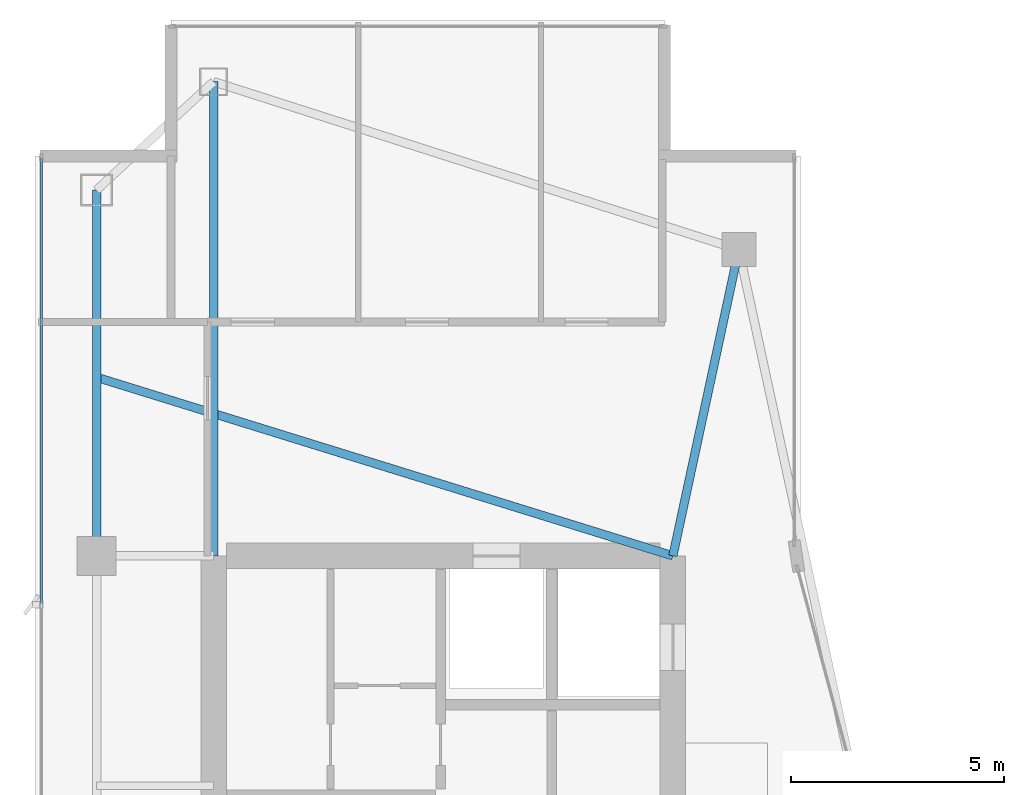
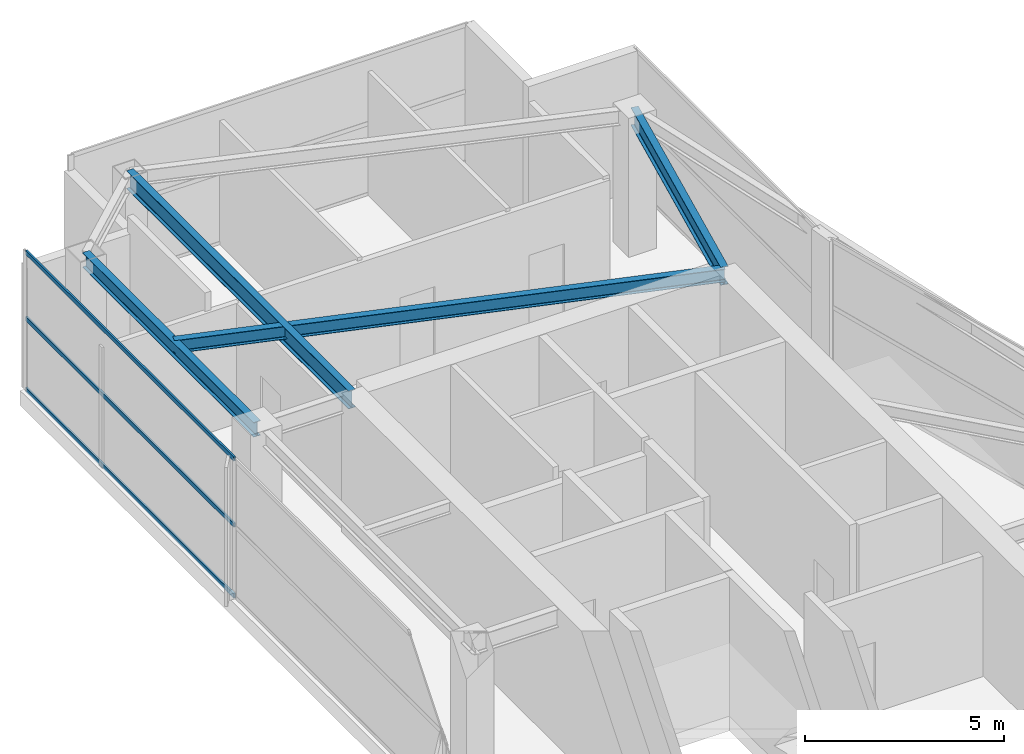
# One storey, part 15 of 25: 4 beams, 3 members, 1 element without a shape of its own.
"""IFC4 building model written with IfcOpenShell, lengths in metres."""

import ifcopenshell
import ifcopenshell.guid

model = None  # the IFC model being written
_history = None  # IfcOwnerHistory: only IFC2X3 demands one
_inside = {}  # id of a spatial element -> (the spatial element, [elements in it])
_under = {}  # id of a project, library or spatial element -> (it, [spatial elements below it])
_declared = {}  # id of a project -> (the project, [libraries it declares])
_typed = {}  # id of a type object -> (the type object, [elements of that type])
_made_of = {}  # id of a material, layer set ... -> (it, [elements and type objects made of it])


def new_model(schema):
    """Start an empty IFC model of exactly this schema.

    Asked for "IFC4X3", IfcOpenShell would pick the latest addendum, in which some entities
    have other attributes; the version numbers below select the first issue.
    IFC2X3 requires an IfcOwnerHistory on every rooted entity: one is made here for all.
    """
    global model, _history
    if schema == "IFC4X3":
        model = ifcopenshell.file(schema_version=(4, 3, 0, 0))
    else:
        model = ifcopenshell.file(schema=schema)
    _inside.clear()
    _under.clear()
    _declared.clear()
    _typed.clear()
    _made_of.clear()
    _history = None
    if model.schema == "IFC2X3":
        org = make("IfcOrganization", Name="unknown")
        user = make(
            "IfcPersonAndOrganization",
            ThePerson=make("IfcPerson", FamilyName="unknown"),
            TheOrganization=org,
        )
        app = make(
            "IfcApplication",
            ApplicationDeveloper=org,
            Version="unknown",
            ApplicationFullName="unknown",
            ApplicationIdentifier="unknown",
        )
        _history = make(
            "IfcOwnerHistory",
            OwningUser=user,
            OwningApplication=app,
            ChangeAction="ADDED",
            CreationDate=0,
        )
    return model


def make(cls, **values):
    """One entity of the class cls with the attributes given. An attribute that is None is left unset."""
    return model.create_entity(
        cls, **{name: value for name, value in values.items() if value is not None}
    )


def rooted(cls, **values):
    """An entity with a GlobalId (a new one), such as an element, a storey or a relation."""
    return make(cls, GlobalId=ifcopenshell.guid.new(), OwnerHistory=_history, **values)


def si_unit(unit_type, name, prefix=None):
    """IfcSIUnit, for example si_unit("LENGTHUNIT", "METRE", prefix="MILLI")."""
    return make("IfcSIUnit", UnitType=unit_type, Prefix=prefix, Name=name)


def assignment(units):
    """IfcUnitAssignment: the units of a project."""
    return None if units is None else make("IfcUnitAssignment", Units=units)


def point(xyz):
    """IfcCartesianPoint."""
    return None if xyz is None else make("IfcCartesianPoint", Coordinates=xyz)


def direction(xyz):
    """IfcDirection."""
    return None if xyz is None else make("IfcDirection", DirectionRatios=xyz)


def frame(location, z_axis=None, x_axis=None):
    """IfcAxis2Placement3D, a coordinate frame: its origin and axes. An axis left out is left unset."""
    return make(
        "IfcAxis2Placement3D",
        Location=point(location),
        Axis=direction(z_axis),
        RefDirection=direction(x_axis),
    )


def frame_2d(location, x_axis=None):
    """IfcAxis2Placement2D, a coordinate frame in the plane: its origin and x axis."""
    return make(
        "IfcAxis2Placement2D", Location=point(location), RefDirection=direction(x_axis)
    )


def origin():
    """The frame at (0, 0, 0) with its axes left unset."""
    return frame((0.0, 0.0, 0.0))


def origin_2d():
    """The frame at (0, 0) in the plane with its x axis left unset."""
    return frame_2d((0.0, 0.0))


def place(relative_to, where):
    """IfcLocalPlacement: puts the frame where relative to a parent placement (None: the world)."""
    return make(
        "IfcLocalPlacement", PlacementRelTo=relative_to, RelativePlacement=where
    )


def context(
    kind, dimensions, precision=None, world=None, true_north=None, identifier=None
):
    """IfcGeometricRepresentationContext, for example the 3D "Model" context."""
    return make(
        "IfcGeometricRepresentationContext",
        ContextIdentifier=identifier,
        ContextType=kind,
        CoordinateSpaceDimension=dimensions,
        Precision=precision,
        WorldCoordinateSystem=world,
        TrueNorth=true_north,
    )


def subcontext(parent, identifier, kind, view, scale=None):
    """IfcGeometricRepresentationSubContext, for example "Body" below "Model"."""
    return make(
        "IfcGeometricRepresentationSubContext",
        ContextIdentifier=identifier,
        ContextType=kind,
        ParentContext=parent,
        TargetScale=scale,
        TargetView=view,
    )


def project(units=None, contexts=None):
    """IfcProject with its units and contexts."""
    return rooted(
        "IfcProject",
        Name="project",
        RepresentationContexts=contexts,
        UnitsInContext=assignment(units),
    )


def spatial(cls, under=None, at=None, **own):
    """A site, building, storey or space (cls), placed at a placement, below another one or the project."""
    s = rooted(cls, ObjectPlacement=at, **own)
    if under is not None:
        _under.setdefault(under.id(), (under, []))[1].append(s)
    return s


def profile(cls, at=None, kind="AREA", **sizes):
    """A parametric profile (cls). Its sizes go by their IFC names, for example OverallWidth=200.0."""
    return make(cls, ProfileType=kind, Position=at, **sizes)


def hollow_rectangle(**sizes):
    """IfcRectangleHollowProfileDef."""
    return profile("IfcRectangleHollowProfileDef", **sizes)


def i_section(**sizes):
    """IfcIShapeProfileDef."""
    return profile("IfcIShapeProfileDef", **sizes)


def extrude(swept, where, along, depth):
    """IfcExtrudedAreaSolid: the profile swept, set in the frame where, extruded along a direction by depth."""
    return make(
        "IfcExtrudedAreaSolid",
        SweptArea=swept,
        Position=where,
        ExtrudedDirection=direction(along),
        Depth=depth,
    )


def shape(context_of_items, identifier, shape_type, items):
    """IfcShapeRepresentation: the items that make up one representation, for example the "Body"."""
    return make(
        "IfcShapeRepresentation",
        ContextOfItems=context_of_items,
        RepresentationIdentifier=identifier,
        RepresentationType=shape_type,
        Items=items,
    )


def material(Name=None, Category=None):
    """IfcMaterial."""
    return make("IfcMaterial", Name=Name, Category=Category)


def layer(
    of_material, thickness, ventilated=None, Name=None, Category=None, Priority=None
):
    """IfcMaterialLayer: one layer of a wall or slab, of a material (None: an air gap)."""
    return make(
        "IfcMaterialLayer",
        Material=of_material,
        LayerThickness=thickness,
        IsVentilated=ventilated,
        Name=Name,
        Category=Category,
        Priority=Priority,
    )


def layer_set(layers, Name=None):
    """IfcMaterialLayerSet."""
    return make("IfcMaterialLayerSet", MaterialLayers=layers, LayerSetName=Name)


def material_profile(
    of_material, cross_section, Name=None, Category=None, Priority=None
):
    """IfcMaterialProfile: a cross section and its material."""
    return make(
        "IfcMaterialProfile",
        Name=Name,
        Material=of_material,
        Profile=cross_section,
        Priority=Priority,
        Category=Category,
    )


def profile_set(profiles, Name=None, composite=None):
    """IfcMaterialProfileSet."""
    return make(
        "IfcMaterialProfileSet",
        Name=Name,
        MaterialProfiles=profiles,
        CompositeProfile=composite,
    )


def made_of(thing, what):
    """Note that an element or type object is made of a material, layer set ...; save() writes the relation."""
    if what is not None:
        _made_of.setdefault(what.id(), (what, []))[1].append(thing)
    return thing


def type_object(cls, material=None, **own):
    """A type object (cls), such as IfcWallType, which elements share."""
    return made_of(rooted(cls, **own), material)


def element(
    cls,
    number,
    at=None,
    inside=None,
    cuts=None,
    type_object=None,
    material=None,
    context=None,
    identifier="Body",
    shape_type=None,
    held_by="IfcProductDefinitionShape",
    body=None,
    shapes=None,
    **own,
):
    """One element of the class cls, such as IfcWall. Its Tag is "e" and its number.

    at: its placement. inside: the storey or other place that contains it. cuts: it is an
    opening in that element (IfcRelVoidsElement). A single representation is given by context,
    identifier, shape_type and body (its items); several are given by shapes. held_by: the class
    of the entity that holds the representations. save() writes the other relations.
    """
    e = rooted(cls, Tag="e%d" % number, ObjectPlacement=at, **own)
    if body is not None:
        shapes = [shape(context, identifier, shape_type, body)]
    if shapes is not None:
        e.Representation = make(held_by, Representations=shapes)
    if inside is not None:
        _inside.setdefault(inside.id(), (inside, []))[1].append(e)
    if cuts is not None:
        rooted(
            "IfcRelVoidsElement", RelatingBuildingElement=cuts, RelatedOpeningElement=e
        )
    if type_object is not None:
        _typed.setdefault(type_object.id(), (type_object, []))[1].append(e)
    return made_of(e, material)


def aggregate(whole, parts):
    """IfcRelAggregates: a whole, such as a stair, and the parts it consists of."""
    return rooted("IfcRelAggregates", RelatingObject=whole, RelatedObjects=parts)


def save(model, path):
    """Write the relations noted so far, then the file.

    IfcRelAggregates (storeys below a building ...), IfcRelContainedInSpatialStructure (elements
    in a storey), IfcRelDefinesByType, IfcRelAssociatesMaterial and IfcRelDeclares: one each for
    every whole, place, type object, material and project.
    """
    for whole, parts in _under.values():
        aggregate(whole, parts)
    for where, things in _inside.values():
        rooted(
            "IfcRelContainedInSpatialStructure",
            RelatedElements=things,
            RelatingStructure=where,
        )
    for kind, things in _typed.values():
        rooted("IfcRelDefinesByType", RelatedObjects=things, RelatingType=kind)
    for what, things in _made_of.values():
        rooted("IfcRelAssociatesMaterial", RelatedObjects=things, RelatingMaterial=what)
    for by, libraries in _declared.values():
        rooted("IfcRelDeclares", RelatingContext=by, RelatedDefinitions=libraries)
    model.write(path)


model = new_model("IFC4")

# Units and contexts
model_context = context("Model", 3, precision=1e-05, world=origin(), true_north=direction((0.0, 1.0)))
body_context = subcontext(model_context, "Body", "Model", "MODEL_VIEW")
ifc_project = project(units=[si_unit("LENGTHUNIT", "METRE"), si_unit("AREAUNIT", "SQUARE_METRE"), si_unit("VOLUMEUNIT", "CUBIC_METRE"), si_unit("PLANEANGLEUNIT", "RADIAN"), si_unit("MASSUNIT", "GRAM", prefix="KILO")], contexts=[model_context])

# Site, building, storey
site_placement = place(None, origin())
site = spatial("IfcSite", under=ifc_project, at=site_placement, CompositionType="ELEMENT")
building_placement = place(site_placement, origin())
building = spatial("IfcBuilding", under=site, at=building_placement, Name="Calvorn Quay Hotel", CompositionType="ELEMENT")
storey_placement = place(building_placement, frame((0.0, 0.0, 307.0)))
storey = spatial("IfcBuildingStorey", under=building, at=storey_placement, Name="L76", CompositionType="ELEMENT", Elevation=307.0)

# Beams
ifc_material_1 = material(Name="Steel Q355B", Category="steel")
ifc_material_profile_1 = material_profile(ifc_material_1, i_section(OverallWidth=0.199951171875, OverallDepth=0.550048828125, WebThickness=0.010009765625, FlangeThickness=0.01611328125, FilletRadius=0.01806640625, at=origin_2d()), Name="HN550x200x10x16")
ifc_profile_set_1 = profile_set([ifc_material_profile_1], Name="Steel Q355B")
beam_type_1 = type_object("IfcBeamType", Name="BM-GIRD-UPP", PredefinedType="BEAM", material=ifc_profile_set_1)
beam_1_placement = place(storey_placement, frame((4.199951171875, 49.550048828125, 3.965087890625), z_axis=(0.0, -1.0, 0.0), x_axis=(1.0, 0.0, 0.0)))
element("IfcBeam", 1, at=beam_1_placement, inside=storey, type_object=beam_type_1, Name="Beam BG-L76-W5", PredefinedType="BEAM", context=body_context, shape_type="SweptSolid", body=[
    extrude(i_section(OverallWidth=0.199951171875, OverallDepth=0.550048828125, WebThickness=0.010009765625, FlangeThickness=0.01611328125, FilletRadius=0.01806640625, at=origin_2d()), origin(), (0.0, 0.0, 1.0), 11.150146484375),
])
beam_2_placement = place(storey_placement, frame((16.550048828125, 45.60009765625, 3.965087890625), z_axis=(-0.210457140491, -0.97760308511, 0.0), x_axis=(0.97760308511, -0.210457140491, 0.0)))
element("IfcBeam", 2, at=beam_2_placement, inside=storey, type_object=beam_type_1, Name="Beam BG-L76-W6", PredefinedType="BEAM", context=body_context, shape_type="SweptSolid", body=[
    extrude(i_section(OverallWidth=0.199951171875, OverallDepth=0.550048828125, WebThickness=0.010009765625, FlangeThickness=0.01611328125, FilletRadius=0.01806640625, at=origin_2d()), origin(), (0.0, 0.0, 1.0), 7.365234375),
])
ifc_material_2 = material(Name="Steel Q355B", Category="steel")
ifc_material_profile_2 = material_profile(ifc_material_2, i_section(OverallWidth=0.199951171875, OverallDepth=0.39990234375, WebThickness=0.008056640625, FlangeThickness=0.012939453125, FilletRadius=0.01611328125, at=origin_2d()), Name="HN400x200x8x13")
ifc_profile_set_2 = profile_set([ifc_material_profile_2], Name="Steel Q355B")
beam_type_2 = type_object("IfcBeamType", Name="BM-JOIST-TYP", PredefinedType="JOIST", material=ifc_profile_set_2)
beam_3_placement = place(storey_placement, frame((1.449951171875, 42.60009765625, 4.0400390625), z_axis=(0.955163702122, -0.296078202759, 0.0), x_axis=(0.296078202759, 0.955163702122, 0.0)))
element("IfcBeam", 3, at=beam_3_placement, inside=storey, type_object=beam_type_2, Name="Beam BJ-L76-W2", PredefinedType="JOIST", context=body_context, shape_type="SweptSolid", body=[
    extrude(i_section(OverallWidth=0.199951171875, OverallDepth=0.39990234375, WebThickness=0.008056640625, FlangeThickness=0.012939453125, FilletRadius=0.01611328125, at=origin_2d()), origin(), (0.0, 0.0, 1.0), 14.18603515625),
])
ifc_material_3 = material(Name="Steel Q355B", Category="steel")
ifc_material_profile_3 = material_profile(ifc_material_3, i_section(OverallWidth=0.199951171875, OverallDepth=0.449951171875, WebThickness=0.009033203125, FlangeThickness=0.013916015625, FilletRadius=0.01611328125, at=origin_2d()), Name="HN450x200x9x14")
ifc_profile_set_3 = profile_set([ifc_material_profile_3], Name="Steel Q355B")
beam_type_3 = type_object("IfcBeamType", Name="BM-SPANDREL-Z3", PredefinedType="SPANDREL", material=ifc_profile_set_3)
beam_4_placement = place(storey_placement, frame((1.449951171875, 38.39990234375, 4.014892578125), z_axis=(0.0, 1.0, 0.0), x_axis=(-1.0, 0.0, 0.0)))
element("IfcBeam", 4, at=beam_4_placement, inside=storey, type_object=beam_type_3, Name="Beam BSP-L76-W4", PredefinedType="SPANDREL", context=body_context, shape_type="SweptSolid", body=[
    extrude(i_section(OverallWidth=0.199951171875, OverallDepth=0.449951171875, WebThickness=0.009033203125, FlangeThickness=0.013916015625, FilletRadius=0.01611328125, at=origin_2d()), origin(), (0.0, 0.0, 1.0), 8.60009765625),
])

# Curtain wall, members
ifc_material_4 = material(Name="Champagne Bronze Anodised Aluminium and Low-E Glass", Category="aluminium")
ifc_layer = layer(ifc_material_4, 0.219970703125)
ifc_layer_set = layer_set([ifc_layer], Name="CW-SYS-Z4")
curtain_wall_type = type_object("IfcCurtainWallType", Name="CW-SYS-Z4", PredefinedType="NOTDEFINED", material=ifc_layer_set)
curtain_wall_placement = place(storey_placement, origin())
curtain_wall = element("IfcCurtainWall", 5, at=curtain_wall_placement, inside=storey, type_object=curtain_wall_type, Name="Tower West Curtain Wall (L76)", PredefinedType="NOTDEFINED")
ifc_material_5 = material(Name="Champagne Bronze Anodised Aluminium 6063-T6", Category="aluminium")
ifc_material_profile_4 = material_profile(ifc_material_5, hollow_rectangle(XDim=0.054931640625, YDim=0.1298828125, WallThickness=0.003173828125, at=origin_2d()), Name="ALU-T130x55x3.2")
ifc_profile_set_4 = profile_set([ifc_material_profile_4], Name="Champagne Bronze Anodised Aluminium 6063-T6")
member_type = type_object("IfcMemberType", Name="CW-SYS-Z4-TRN", PredefinedType="USERDEFINED", material=ifc_profile_set_4)
member_1_placement = place(storey_placement, frame((0.14990234375, 37.280029296875, 0.030029296875), z_axis=(0.0, 1.0, 0.0), x_axis=(-1.0, 0.0, 0.0)))
member_1 = element("IfcMember", 6, at=member_1_placement, type_object=member_type, Name="CW-L76-W transom 4.1", ObjectType="TRANSOM", PredefinedType="USERDEFINED", context=body_context, shape_type="SweptSolid", body=[
    extrude(hollow_rectangle(XDim=0.054931640625, YDim=0.1298828125, WallThickness=0.003173828125, at=origin_2d()), origin(), (0.0, 0.0, 1.0), 10.4599609375),
])
member_2_placement = place(storey_placement, frame((0.14990234375, 37.280029296875, 2.199951171875), z_axis=(0.0, 1.0, 0.0), x_axis=(-1.0, 0.0, 0.0)))
member_2 = element("IfcMember", 7, at=member_2_placement, type_object=member_type, Name="CW-L76-W transom 4.2", ObjectType="TRANSOM", PredefinedType="USERDEFINED", context=body_context, shape_type="SweptSolid", body=[
    extrude(hollow_rectangle(XDim=0.054931640625, YDim=0.1298828125, WallThickness=0.003173828125, at=origin_2d()), origin(), (0.0, 0.0, 1.0), 10.4599609375),
])
member_3_placement = place(storey_placement, frame((0.14990234375, 37.280029296875, 4.22998046875), z_axis=(0.0, 1.0, 0.0), x_axis=(-1.0, 0.0, 0.0)))
member_3 = element("IfcMember", 8, at=member_3_placement, type_object=member_type, Name="CW-L76-W transom 4.3", ObjectType="TRANSOM", PredefinedType="USERDEFINED", context=body_context, shape_type="SweptSolid", body=[
    extrude(hollow_rectangle(XDim=0.054931640625, YDim=0.1298828125, WallThickness=0.003173828125, at=origin_2d()), origin(), (0.0, 0.0, 1.0), 10.4599609375),
])
aggregate(curtain_wall, [member_1, member_2, member_3])

save(model, "model.ifc")
